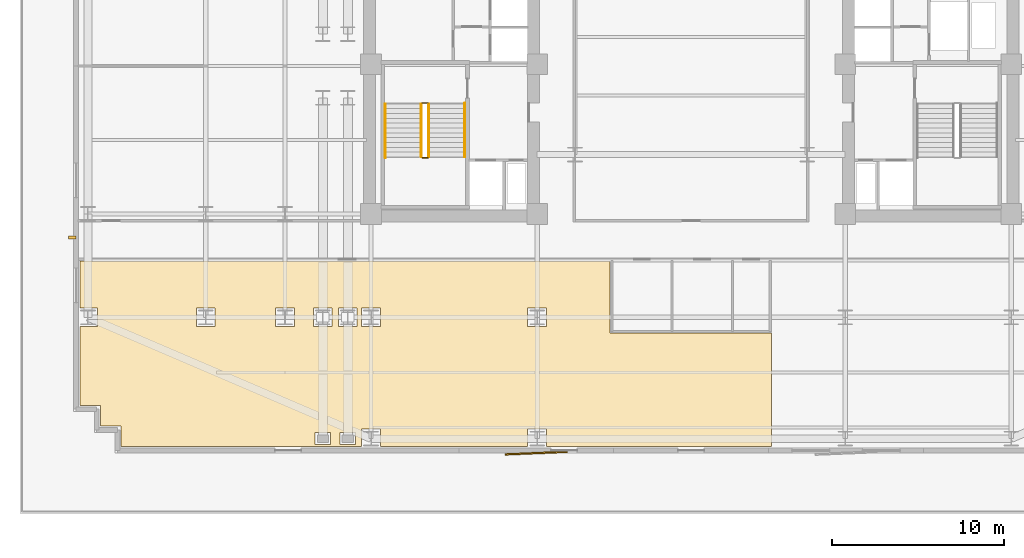
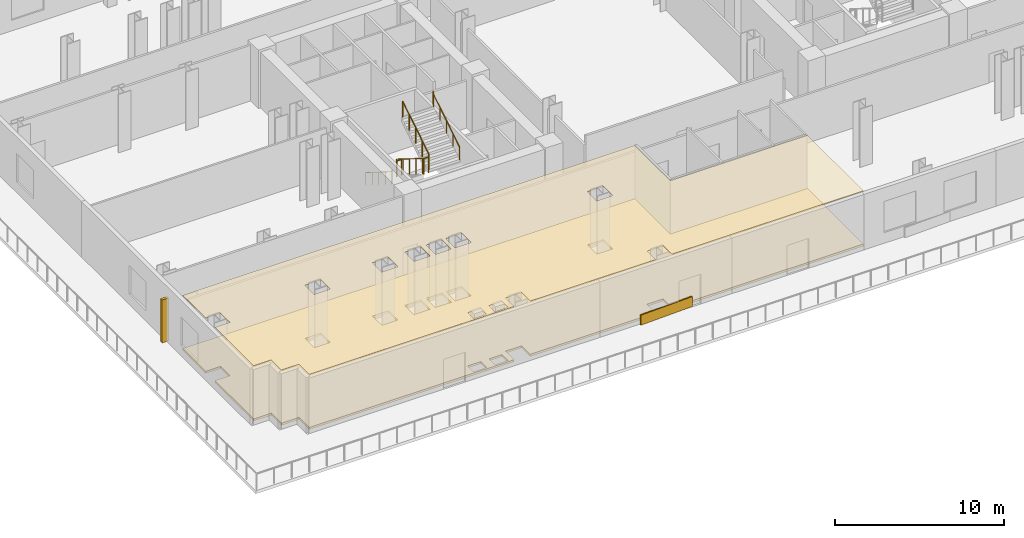
# One storey, part 11 of 14: 6 railings, 3 coverings, 1 shading device.
"""IFC4 building model written with IfcOpenShell, lengths in metres."""

from ifc_helpers import new_model, si_unit, direction, frame, origin, origin_2d, place, context, subcontext, project, spatial, polyline, rectangle, circle, outline, extrude, material, layer, layer_set, type_object, element, save


model = new_model("IFC4")

# Units and contexts
model_context = context("Model", 3, precision=1e-05, world=origin(), true_north=direction((0.0, 1.0)))
body_context = subcontext(model_context, "Body", "Model", "MODEL_VIEW")
ifc_project = project(units=[si_unit("LENGTHUNIT", "METRE"), si_unit("AREAUNIT", "SQUARE_METRE"), si_unit("VOLUMEUNIT", "CUBIC_METRE"), si_unit("PLANEANGLEUNIT", "RADIAN"), si_unit("MASSUNIT", "GRAM", prefix="KILO")], contexts=[model_context])

# Site, building, storey
site_placement = place(None, origin())
site = spatial("IfcSite", under=ifc_project, at=site_placement, CompositionType="ELEMENT")
building_placement = place(site_placement, origin())
building = spatial("IfcBuilding", under=site, at=building_placement, Name="Velakula Bourse", CompositionType="ELEMENT")
storey_placement = place(building_placement, frame((0.0, 0.0, 27.0)))
storey = spatial("IfcBuildingStorey", under=building, at=storey_placement, Name="L06", CompositionType="ELEMENT", Elevation=27.0)

# Coverings
ifc_material_1 = material(Name="Red kilned clay facing brick masonry", Category="masonry")
ifc_layer_1 = layer(ifc_material_1, 0.090087890625, Name="Red kilned clay facing brick masonry", Category="masonry")
ifc_layer_set_1 = layer_set([ifc_layer_1], Name="Red kilned clay facing brick masonry")
covering_type_1 = type_object("IfcCoveringType", Name="COV-BRK-FOLD-90", PredefinedType="CLADDING", material=ifc_layer_set_1)
covering_1_placement = place(storey_placement, frame((-9.0, -22.489990234375, 0.0), z_axis=(0.0, 0.0, 1.0), x_axis=(0.999158993058, 0.041003738744, 0.0)))
element("IfcCovering", 1, at=covering_1_placement, inside=storey, type_object=covering_type_1, Name="L06 Folded Brick Facade Cladding Panel S-B2", PredefinedType="CLADDING", context=body_context, shape_type="SweptSolid", body=[
    extrude(rectangle(XDim=3.60009765625, YDim=0.090087890625, at=origin_2d()), origin(), (0.0, 0.0, 1.0), 0.719970703125),
])
ifc_material_2 = material(Name="Mineral-fibre acoustic suspended ceiling tile", Category="mineral")
ifc_layer_2 = layer(ifc_material_2, 0.0400390625, Name="Mineral-fibre acoustic suspended ceiling tile", Category="mineral")
ifc_layer_set_2 = layer_set([ifc_layer_2], Name="Mineral-fibre acoustic suspended ceiling tile")
covering_type_2 = type_object("IfcCoveringType", Name="COV-CEIL-AC-40", PredefinedType="CEILING", material=ifc_layer_set_2)
covering_2_placement = place(storey_placement, frame((0.0, 0.0, 3.949951171875)))
element("IfcCovering", 2, at=covering_2_placement, inside=storey, type_object=covering_type_2, Name="L06 Traders Bistro Restaurant Acoustic Suspended Ceiling", PredefinedType="CEILING", context=body_context, shape_type="SweptSolid", body=[
    extrude(outline(polyline([(-35.52001953125, -11.330078125), (-4.699951171875, -11.330078125), (-4.699951171875, -15.52001953125), (4.659912109375, -15.52001953125), (4.659912109375, -22.1201171875), (-8.405029296875, -22.1201171875), (-8.405029296875, -21.10498046875), (-9.4951171875, -21.10498046875), (-9.4951171875, -22.1201171875), (-18.054931640625, -22.1201171875), (-18.054931640625, -21.10498046875), (-19.14501953125, -21.10498046875), (-19.14501953125, -22.1201171875), (-33.1201171875, -22.1201171875), (-33.1201171875, -20.919921875), (-34.320068359375, -20.919921875), (-34.320068359375, -19.719970703125), (-35.52001953125, -19.719970703125), (-35.52001953125, -15.14501953125), (-34.5048828125, -15.14501953125), (-34.5048828125, -14.054931640625), (-35.52001953125, -14.054931640625), (-35.52001953125, -11.330078125)]), holes=[polyline([(-20.39501953125, -21.9951171875), (-19.5048828125, -21.9951171875), (-19.5048828125, -21.304931640625), (-20.39501953125, -21.304931640625), (-20.39501953125, -21.9951171875)]), polyline([(-21.844970703125, -21.9951171875), (-20.955078125, -21.9951171875), (-20.955078125, -21.304931640625), (-21.844970703125, -21.304931640625), (-21.844970703125, -21.9951171875)]), polyline([(-19.14501953125, -15.14501953125), (-18.054931640625, -15.14501953125), (-18.054931640625, -14.054931640625), (-19.14501953125, -14.054931640625), (-19.14501953125, -15.14501953125)]), polyline([(-28.7451171875, -14.054931640625), (-28.7451171875, -15.14501953125), (-27.655029296875, -15.14501953125), (-27.655029296875, -14.054931640625), (-28.7451171875, -14.054931640625)]), polyline([(-20.4951171875, -15.14501953125), (-19.405029296875, -15.14501953125), (-19.405029296875, -14.054931640625), (-20.4951171875, -14.054931640625), (-20.4951171875, -15.14501953125)]), polyline([(-24.14501953125, -15.14501953125), (-23.054931640625, -15.14501953125), (-23.054931640625, -14.054931640625), (-24.14501953125, -14.054931640625), (-24.14501953125, -15.14501953125)]), polyline([(-21.945068359375, -15.14501953125), (-20.85498046875, -15.14501953125), (-20.85498046875, -14.054931640625), (-21.945068359375, -14.054931640625), (-21.945068359375, -15.14501953125)]), polyline([(-9.4951171875, -15.14501953125), (-8.405029296875, -15.14501953125), (-8.405029296875, -14.054931640625), (-9.4951171875, -14.054931640625), (-9.4951171875, -15.14501953125)])]), origin(), (0.0, 0.0, 1.0), 0.0400390625),
])
ifc_material_3 = material(Name="Calcium-sulphate antistatic raised access flooring", Category="gypsum")
ifc_layer_3 = layer(ifc_material_3, 0.14990234375, Name="Calcium-sulphate antistatic raised access flooring", Category="gypsum")
ifc_layer_set_3 = layer_set([ifc_layer_3], Name="Calcium-sulphate antistatic raised access flooring")
covering_type_3 = type_object("IfcCoveringType", Name="COV-FLR-RAISED-150", PredefinedType="FLOORING", material=ifc_layer_set_3)
covering_3_placement = place(storey_placement, origin())
element("IfcCovering", 3, at=covering_3_placement, inside=storey, type_object=covering_type_3, Name="L06 Traders Bistro Restaurant Raised Trading Access Floor", PredefinedType="FLOORING", context=body_context, shape_type="SweptSolid", body=[
    extrude(outline(polyline([(-35.52001953125, -11.330078125), (-4.699951171875, -11.330078125), (-4.699951171875, -15.52001953125), (4.659912109375, -15.52001953125), (4.659912109375, -22.1201171875), (-8.405029296875, -22.1201171875), (-8.405029296875, -21.10498046875), (-9.4951171875, -21.10498046875), (-9.4951171875, -22.1201171875), (-18.054931640625, -22.1201171875), (-18.054931640625, -21.10498046875), (-19.14501953125, -21.10498046875), (-19.14501953125, -22.1201171875), (-33.1201171875, -22.1201171875), (-33.1201171875, -20.919921875), (-34.320068359375, -20.919921875), (-34.320068359375, -19.719970703125), (-35.52001953125, -19.719970703125), (-35.52001953125, -15.14501953125), (-34.5048828125, -15.14501953125), (-34.5048828125, -14.054931640625), (-35.52001953125, -14.054931640625), (-35.52001953125, -11.330078125)]), holes=[polyline([(-20.39501953125, -21.9951171875), (-19.5048828125, -21.9951171875), (-19.5048828125, -21.304931640625), (-20.39501953125, -21.304931640625), (-20.39501953125, -21.9951171875)]), polyline([(-21.844970703125, -21.9951171875), (-20.955078125, -21.9951171875), (-20.955078125, -21.304931640625), (-21.844970703125, -21.304931640625), (-21.844970703125, -21.9951171875)]), polyline([(-19.14501953125, -15.14501953125), (-18.054931640625, -15.14501953125), (-18.054931640625, -14.054931640625), (-19.14501953125, -14.054931640625), (-19.14501953125, -15.14501953125)]), polyline([(-28.7451171875, -14.054931640625), (-28.7451171875, -15.14501953125), (-27.655029296875, -15.14501953125), (-27.655029296875, -14.054931640625), (-28.7451171875, -14.054931640625)]), polyline([(-20.4951171875, -15.14501953125), (-19.405029296875, -15.14501953125), (-19.405029296875, -14.054931640625), (-20.4951171875, -14.054931640625), (-20.4951171875, -15.14501953125)]), polyline([(-24.14501953125, -15.14501953125), (-23.054931640625, -15.14501953125), (-23.054931640625, -14.054931640625), (-24.14501953125, -14.054931640625), (-24.14501953125, -15.14501953125)]), polyline([(-21.945068359375, -15.14501953125), (-20.85498046875, -15.14501953125), (-20.85498046875, -14.054931640625), (-21.945068359375, -14.054931640625), (-21.945068359375, -15.14501953125)]), polyline([(-9.4951171875, -15.14501953125), (-8.405029296875, -15.14501953125), (-8.405029296875, -14.054931640625), (-9.4951171875, -14.054931640625), (-9.4951171875, -15.14501953125)])]), origin(), (0.0, 0.0, 1.0), 0.14990234375),
])

# Railings
ifc_material_4 = material(Name="Brushed grade 316 stainless steel", Category="steel")
railing_type_1 = type_object("IfcRailingType", Name="RLG-STAIR-GUARD-1150", PredefinedType="BALUSTRADE", material=ifc_material_4)
railing_1_placement = place(storey_placement, frame((-15.672119140625, -2.199951171875, 0.175048828125)))
element("IfcRailing", 4, at=railing_1_placement, inside=storey, type_object=railing_type_1, Name="L06 ST-W1 stair guard 1", PredefinedType="BALUSTRADE", context=body_context, shape_type="SweptSolid", body=[
    extrude(circle(Radius=0.02490234375, at=origin_2d()), frame((0.0, 0.0, 1.125), z_axis=(0.0, -0.847998304005, 0.529998940003), x_axis=(1.0, 0.0, 0.0)), (0.0, 0.0, 1.0), 3.632080078125),
    extrude(circle(Radius=0.02099609375, at=origin_2d()), origin(), (0.0, 0.0, 1.0), 1.099853515625),
    extrude(circle(Radius=0.02099609375, at=origin_2d()), frame((0.0, -0.77001953125, 0.481201171875)), (0.0, 0.0, 1.0), 1.099853515625),
    extrude(circle(Radius=0.02099609375, at=origin_2d()), frame((0.0, -1.5400390625, 0.96240234375)), (0.0, 0.0, 1.0), 1.099853515625),
    extrude(circle(Radius=0.02099609375, at=origin_2d()), frame((0.0, -2.31005859375, 1.44384765625)), (0.0, 0.0, 1.0), 1.099853515625),
    extrude(circle(Radius=0.02099609375, at=origin_2d()), frame((0.0, -3.080078125, 1.925048828125)), (0.0, 0.0, 1.0), 1.099853515625),
])
railing_2_placement = place(storey_placement, frame((-15.6220703125, -5.330078125, 2.10009765625)))
element("IfcRailing", 5, at=railing_2_placement, inside=storey, type_object=railing_type_1, Name="L06 ST-W1 stair guard 2", PredefinedType="BALUSTRADE", context=body_context, shape_type="SweptSolid", body=[
    extrude(circle(Radius=0.02490234375, at=origin_2d()), frame((0.0, 0.0, 1.125), z_axis=(1.0, 0.0, 0.0), x_axis=(0.0, 1.0, 0.0)), (0.0, 0.0, 1.0), 0.323974609375),
    extrude(circle(Radius=0.02099609375, at=origin_2d()), origin(), (0.0, 0.0, 1.0), 1.099853515625),
    extrude(circle(Radius=0.02099609375, at=origin_2d()), frame((0.323974609375, 0.0, 0.0)), (0.0, 0.0, 1.0), 1.099853515625),
])
railing_3_placement = place(storey_placement, frame((-15.248046875, -5.280029296875, 2.27490234375)))
element("IfcRailing", 6, at=railing_3_placement, inside=storey, type_object=railing_type_1, Name="L06 ST-W1 stair guard 3", PredefinedType="BALUSTRADE", context=body_context, shape_type="SweptSolid", body=[
    extrude(circle(Radius=0.02490234375, at=origin_2d()), frame((0.0, 0.0, 1.125), z_axis=(0.0, 0.847998304005, 0.529998940003), x_axis=(-1.0, 0.0, 0.0)), (0.0, 0.0, 1.0), 3.632080078125),
    extrude(circle(Radius=0.02099609375, at=origin_2d()), origin(), (0.0, 0.0, 1.0), 1.099853515625),
    extrude(circle(Radius=0.02099609375, at=origin_2d()), frame((0.0, 0.77001953125, 0.481201171875)), (0.0, 0.0, 1.0), 1.099853515625),
    extrude(circle(Radius=0.02099609375, at=origin_2d()), frame((0.0, 1.5400390625, 0.96240234375)), (0.0, 0.0, 1.0), 1.099853515625),
    extrude(circle(Radius=0.02099609375, at=origin_2d()), frame((0.0, 2.31005859375, 1.44384765625)), (0.0, 0.0, 1.0), 1.099853515625),
    extrude(circle(Radius=0.02099609375, at=origin_2d()), frame((0.0, 3.080078125, 1.925048828125)), (0.0, 0.0, 1.0), 1.099853515625),
])
railing_4_placement = place(storey_placement, frame((-15.6220703125, -2.14990234375, 0.0)))
element("IfcRailing", 7, at=railing_4_placement, inside=storey, type_object=railing_type_1, Name="L06 ST-W1 stair guard 4", PredefinedType="BALUSTRADE", context=body_context, shape_type="SweptSolid", body=[
    extrude(circle(Radius=0.02490234375, at=origin_2d()), frame((0.0, 0.0, 1.125), z_axis=(1.0, 0.0, 0.0), x_axis=(0.0, 1.0, 0.0)), (0.0, 0.0, 1.0), 0.323974609375),
    extrude(circle(Radius=0.02099609375, at=origin_2d()), origin(), (0.0, 0.0, 1.0), 1.099853515625),
    extrude(circle(Radius=0.02099609375, at=origin_2d()), frame((0.323974609375, 0.0, 0.0)), (0.0, 0.0, 1.0), 1.099853515625),
])
railing_type_2 = type_object("IfcRailingType", Name="RLG-STAIR-HAND-920", PredefinedType="HANDRAIL", material=ifc_material_4)
railing_5_placement = place(storey_placement, frame((-17.77001953125, -2.199951171875, 0.175048828125)))
element("IfcRailing", 8, at=railing_5_placement, inside=storey, type_object=railing_type_2, Name="L06 ST-W1 stair handrail 1", PredefinedType="HANDRAIL", context=body_context, shape_type="SweptSolid", body=[
    extrude(circle(Radius=0.02099609375, at=origin_2d()), frame((0.0, 0.0, 0.89892578125), z_axis=(0.0, -0.847998304005, 0.529998940003), x_axis=(1.0, 0.0, 0.0)), (0.0, 0.0, 1.0), 3.632080078125),
    extrude(circle(Radius=0.02099609375, at=origin_2d()), frame((0.0, -3.080078125, 2.823974609375), z_axis=(0.0, -0.223268366363, 0.974757014123), x_axis=(1.0, 0.0, 0.0)), (0.0, 0.0, 1.0), 0.179443359375),
    extrude(circle(Radius=0.02099609375, at=origin_2d()), frame((0.0, -3.1201171875, 2.998779296875), z_axis=(0.0, -1.0, 0.0), x_axis=(1.0, 0.0, 0.0)), (0.0, 0.0, 1.0), 0.0048828125),
    extrude(circle(Radius=0.02099609375, at=origin_2d()), origin(), (0.0, 0.0, 1.0), 0.8779296875),
    extrude(circle(Radius=0.02099609375, at=origin_2d()), frame((0.0, -0.77001953125, 0.481201171875)), (0.0, 0.0, 1.0), 0.8779296875),
    extrude(circle(Radius=0.02099609375, at=origin_2d()), frame((0.0, -1.5400390625, 0.96240234375)), (0.0, 0.0, 1.0), 0.8779296875),
    extrude(circle(Radius=0.02099609375, at=origin_2d()), frame((0.0, -2.31005859375, 1.44384765625)), (0.0, 0.0, 1.0), 0.8779296875),
    extrude(circle(Radius=0.02099609375, at=origin_2d()), frame((0.0, -3.080078125, 1.925048828125)), (0.0, 0.0, 1.0), 0.8779296875),
    extrude(circle(Radius=0.02099609375, at=origin_2d()), frame((0.0, -3.1201171875, 2.099853515625)), (0.0, 0.0, 1.0), 0.8779296875),
    extrude(circle(Radius=0.02099609375, at=origin_2d()), frame((0.0, -3.125, 2.099853515625)), (0.0, 0.0, 1.0), 0.8779296875),
])
railing_6_placement = place(storey_placement, frame((-13.14990234375, -5.280029296875, 2.27490234375)))
element("IfcRailing", 9, at=railing_6_placement, inside=storey, type_object=railing_type_2, Name="L06 ST-W1 stair handrail 2", PredefinedType="HANDRAIL", context=body_context, shape_type="SweptSolid", body=[
    extrude(circle(Radius=0.02099609375, at=origin_2d()), frame((0.0, 0.0, 0.89892578125), z_axis=(0.0, 0.847998304005, 0.529998940003), x_axis=(-1.0, 0.0, 0.0)), (0.0, 0.0, 1.0), 3.632080078125),
    extrude(circle(Radius=0.02099609375, at=origin_2d()), frame((0.0, 3.080078125, 2.823974609375), z_axis=(0.0, 0.222972465624, 0.974824743004), x_axis=(-1.0, 0.0, 0.0)), (0.0, 0.0, 1.0), 0.1796875),
    extrude(circle(Radius=0.02099609375, at=origin_2d()), frame((0.0, 3.1201171875, 2.9990234375), z_axis=(0.0, 1.0, 0.0), x_axis=(-1.0, 0.0, 0.0)), (0.0, 0.0, 1.0), 0.0048828125),
    extrude(circle(Radius=0.02099609375, at=origin_2d()), origin(), (0.0, 0.0, 1.0), 0.8779296875),
    extrude(circle(Radius=0.02099609375, at=origin_2d()), frame((0.0, 0.77001953125, 0.481201171875)), (0.0, 0.0, 1.0), 0.8779296875),
    extrude(circle(Radius=0.02099609375, at=origin_2d()), frame((0.0, 1.5400390625, 0.96240234375)), (0.0, 0.0, 1.0), 0.8779296875),
    extrude(circle(Radius=0.02099609375, at=origin_2d()), frame((0.0, 2.31005859375, 1.44384765625)), (0.0, 0.0, 1.0), 0.8779296875),
    extrude(circle(Radius=0.02099609375, at=origin_2d()), frame((0.0, 3.080078125, 1.925048828125)), (0.0, 0.0, 1.0), 0.8779296875),
    extrude(circle(Radius=0.02099609375, at=origin_2d()), frame((0.0, 3.1201171875, 2.10009765625)), (0.0, 0.0, 1.0), 0.8779296875),
    extrude(circle(Radius=0.02099609375, at=origin_2d()), frame((0.0, 3.125, 2.10009765625)), (0.0, 0.0, 1.0), 0.8779296875),
])

# Shading device
ifc_material_5 = material(Name="Anodised bronze architectural aluminium", Category="aluminium")
shading_device_type = type_object("IfcShadingDeviceType", Name="SHD-FIN-450", PredefinedType="USERDEFINED", material=ifc_material_5)
shading_device_placement = place(storey_placement, frame((-35.9599609375, -9.969970703125, 0.0), z_axis=(0.0, 0.0, 1.0), x_axis=(1.0, 0.0, 0.0)))
element("IfcShadingDevice", 10, at=shading_device_placement, inside=storey, type_object=shading_device_type, Name="L06 Vertical Bronze Solar Shading Fin W", ObjectType="FIN", PredefinedType="USERDEFINED", context=body_context, shape_type="SweptSolid", body=[
    extrude(rectangle(XDim=0.449951171875, YDim=0.179931640625, at=origin_2d()), origin(), (0.0, 0.0, 1.0), 3.10009765625),
])

save(model, "model.ifc")
